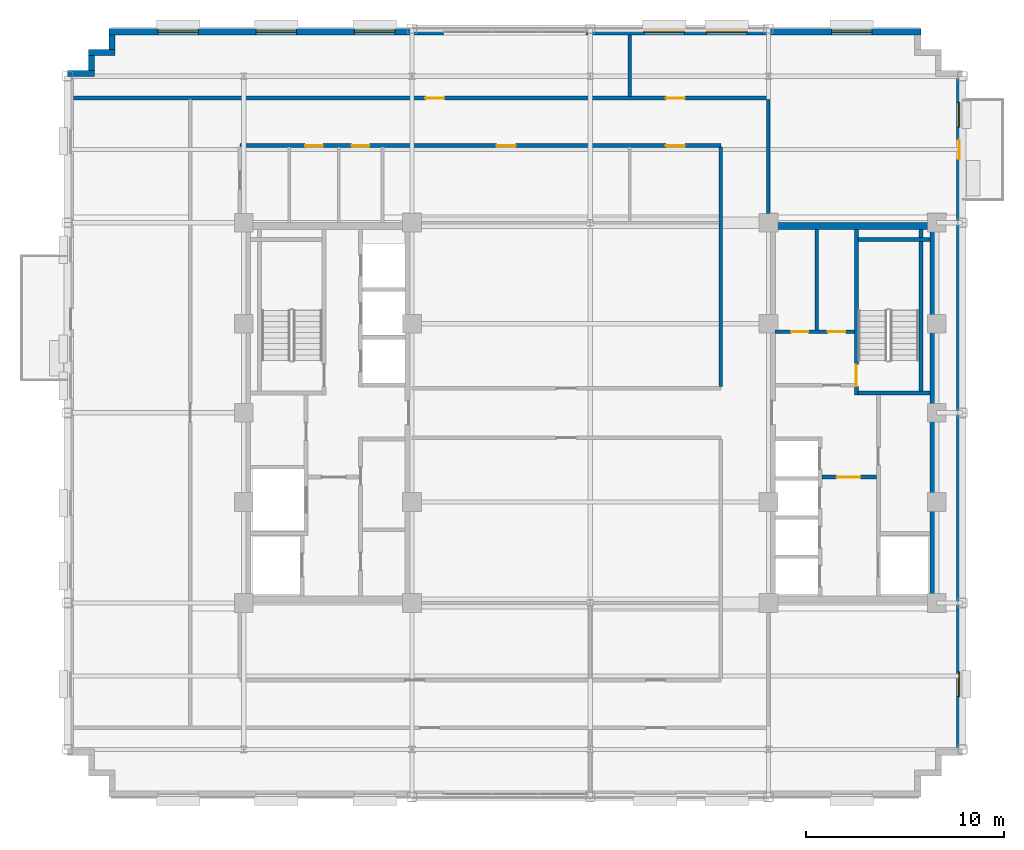
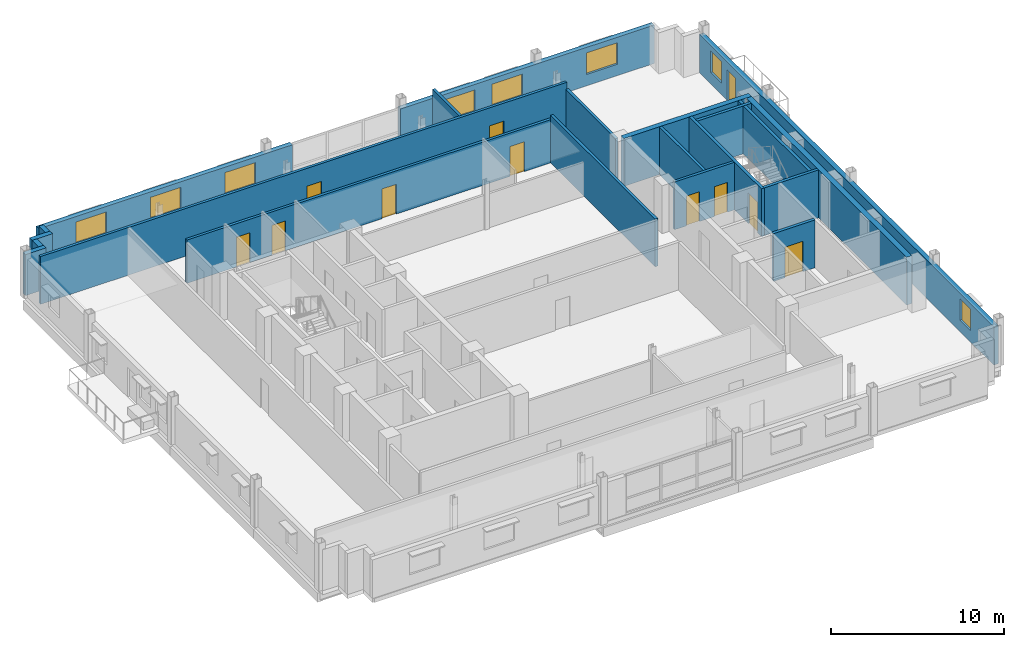
# One storey, part 8 of 15: 21 walls, 11 doors, 8 windows, 19 openings.
"""IFC4 building model written with IfcOpenShell, lengths in metres."""

from ifc_helpers import new_model, si_unit, direction, frame, frame_2d, origin, place, context, subcontext, project, spatial, rectangle, extrude, source, transform, mapped, material, layer, layer_set, type_object, type_shapes, element, fill, save


model = new_model("IFC4")

# Units and contexts
model_context = context("Model", 3, precision=1e-05, world=origin(), true_north=direction((0.0, 1.0)))
body_context = subcontext(model_context, "Body", "Model", "MODEL_VIEW")
ifc_project = project(units=[si_unit("LENGTHUNIT", "METRE"), si_unit("AREAUNIT", "SQUARE_METRE"), si_unit("VOLUMEUNIT", "CUBIC_METRE"), si_unit("PLANEANGLEUNIT", "RADIAN"), si_unit("MASSUNIT", "GRAM", prefix="KILO")], contexts=[model_context])

# Site, building, storey
site_placement = place(None, origin())
site = spatial("IfcSite", under=ifc_project, at=site_placement, CompositionType="ELEMENT")
building_placement = place(site_placement, origin())
building = spatial("IfcBuilding", under=site, at=building_placement, Name="Nuvemarco Arch Tower", CompositionType="ELEMENT")
storey_placement = place(building_placement, frame((0.0, 0.0, 223.75)))
storey = spatial("IfcBuildingStorey", under=building, at=storey_placement, Name="L59", CompositionType="ELEMENT", Elevation=223.75)

# Wall, openings, door, windows
ifc_material_1 = material(Name="Precast concrete C45/55", Category="concrete")
ifc_layer_1 = layer(ifc_material_1, 0.31005859375, Name="EW-UPP-310")
ifc_layer_set_1 = layer_set([ifc_layer_1], Name="Precast concrete C45/55")
wall_type_1 = type_object("IfcWallType", Name="EW-UPP-310", PredefinedType="STANDARD", material=ifc_layer_set_1)
wall_1_placement = place(storey_placement, frame((18.64501953125, -16.993896484375, 0.0), z_axis=(0.0, 0.0, 1.0), x_axis=(0.0, 1.0, 0.0)))
wall_1 = element("IfcWall", 1, at=wall_1_placement, inside=storey, type_object=wall_type_1, Name="L59 exterior precast facade wall 6", PredefinedType="STANDARD", context=body_context, shape_type="SweptSolid", body=[
    extrude(rectangle(XDim=33.98779296875, YDim=0.31005859375, at=frame_2d((16.993896484375, 0.0))), origin(), (0.0, 0.0, 1.0), 2.705078125),
])
opening_1_placement = place(wall_1_placement, frame((30.77392578125, 0.0, 0.0), z_axis=(0.0, 0.0, 1.0), x_axis=(-1.0, 0.0, 0.0)))
opening_1 = element("IfcOpeningElement", 2, at=opening_1_placement, cuts=wall_1, Name="Opening ED-6", PredefinedType="OPENING", context=body_context, shape_type="SweptSolid", body=[
    extrude(rectangle(XDim=0.97998046875, YDim=2.14990234375, at=frame_2d((0.489990234375, 1.074951171875))), frame((0.0, 0.1650390625, 0.0), z_axis=(0.0, -1.0, 0.0), x_axis=(1.0, 0.0, 0.0)), (0.0, 0.0, 1.0), 0.330078125),
])
opening_2_placement = place(wall_1_placement, frame((2.659912109375, 0.0, 0.800048828125)))
opening_2 = element("IfcOpeningElement", 3, at=opening_2_placement, cuts=wall_1, Name="Opening WN-13", PredefinedType="OPENING", context=body_context, shape_type="SweptSolid", body=[
    extrude(rectangle(XDim=1.25, YDim=1.52001953125, at=frame_2d((0.625, 0.760009765625))), frame((0.0, 0.1650390625, 0.0), z_axis=(0.0, -1.0, 0.0), x_axis=(1.0, 0.0, 0.0)), (0.0, 0.0, 1.0), 0.330078125),
])
opening_3_placement = place(wall_1_placement, frame((31.427978515625, 0.0, 0.800048828125)))
opening_3 = element("IfcOpeningElement", 4, at=opening_3_placement, cuts=wall_1, Name="Opening WN-13", PredefinedType="OPENING", context=body_context, shape_type="SweptSolid", body=[
    extrude(rectangle(XDim=1.25, YDim=1.52001953125, at=frame_2d((0.625, 0.760009765625))), frame((0.0, 0.1650390625, 0.0), z_axis=(0.0, -1.0, 0.0), x_axis=(1.0, 0.0, 0.0)), (0.0, 0.0, 1.0), 0.330078125),
])
ifc_material_2 = material(Name="Anodised bronze and laminated glass", Category="glass")
door_type_1 = type_object("IfcDoorType", Name="DR-EXT-BALC", OperationType="NOTDEFINED", PredefinedType="DOOR", material=ifc_material_2)
shared_shape_1 = source(origin(), body_context, "Body", "SweptSolid", [
    extrude(rectangle(XDim=0.97998046875, YDim=2.14990234375, at=frame_2d((0.489990234375, 1.074951171875))), frame((0.0, 0.02490234375, 0.0), z_axis=(0.0, -1.0, 0.0), x_axis=(1.0, 0.0, 0.0)), (0.0, 0.0, 1.0), 0.050048828125),
])
type_shapes(door_type_1, [shared_shape_1])
door_1_placement = place(opening_1_placement, origin())
door_1 = element("IfcDoor", 5, at=door_1_placement, inside=storey, type_object=door_type_1, Name="L59 tree balcony access door", OperationType="SINGLE_SWING_RIGHT", OverallHeight=2.14990234375, OverallWidth=0.97998046875, PredefinedType="DOOR", context=body_context, shape_type="MappedRepresentation", body=[
    mapped(shared_shape_1, transform((0.0, 0.0, 0.0), scale=1.0)),
])
fill(opening_1, door_1)
ifc_material_3 = material(Name="Insulated solar-control glass", Category="glass")
window_type_1 = type_object("IfcWindowType", Name="WN-SET-1250x1520", PartitioningType="SINGLE_PANEL", PredefinedType="WINDOW", material=ifc_material_3)
shared_shape_2 = source(origin(), body_context, "Body", "SweptSolid", [
    extrude(rectangle(XDim=1.25, YDim=1.52001953125, at=frame_2d((0.625, 0.760009765625))), frame((0.0, 0.030029296875, 0.0), z_axis=(0.0, -1.0, 0.0), x_axis=(1.0, 0.0, 0.0)), (0.0, 0.0, 1.0), 0.06005859375),
])
type_shapes(window_type_1, [shared_shape_2])
window_1_placement = place(opening_2_placement, origin())
window_1 = element("IfcWindow", 6, at=window_1_placement, inside=storey, type_object=window_type_1, Name="L59 punched facade window 1", OverallHeight=1.52001953125, OverallWidth=1.25, PartitioningType="SINGLE_PANEL", PredefinedType="WINDOW", context=body_context, shape_type="MappedRepresentation", body=[
    mapped(shared_shape_2, transform((0.0, 0.0, 0.0), scale=1.0)),
])
fill(opening_2, window_1)
window_2_placement = place(opening_3_placement, origin())
window_2 = element("IfcWindow", 7, at=window_2_placement, inside=storey, type_object=window_type_1, Name="L59 punched facade window 7", OverallHeight=1.52001953125, OverallWidth=1.25, PartitioningType="SINGLE_PANEL", PredefinedType="WINDOW", context=body_context, shape_type="MappedRepresentation", body=[
    mapped(shared_shape_2, transform((0.0, 0.0, 0.0), scale=1.0)),
])
fill(opening_3, window_2)

# Wall, openings, windows
wall_2_placement = place(storey_placement, frame((-24.300048828125, 19.2451171875, 0.0), z_axis=(0.0, 0.0, 1.0), x_axis=(1.0, 0.0, 0.0)))
wall_2 = element("IfcWall", 8, at=wall_2_placement, inside=storey, type_object=wall_type_1, Name="L59 exterior precast pier wall north left", PredefinedType="STANDARD", context=body_context, shape_type="SweptSolid", body=[
    extrude(rectangle(XDim=16.900146484375, YDim=0.31005859375, at=frame_2d((8.4501953125, 0.0))), origin(), (0.0, 0.0, 1.0), 2.705078125),
])
opening_4_placement = place(wall_2_placement, frame((2.458251953125, 0.0, 0.800048828125)))
opening_4 = element("IfcOpeningElement", 9, at=opening_4_placement, cuts=wall_2, Name="Opening WN-12", PredefinedType="OPENING", context=body_context, shape_type="SweptSolid", body=[
    extrude(rectangle(XDim=2.050048828125, YDim=1.52001953125, at=frame_2d((1.02490234375, 0.760009765625))), frame((0.0, 0.1650390625, 0.0), z_axis=(0.0, -1.0, 0.0), x_axis=(1.0, 0.0, 0.0)), (0.0, 0.0, 1.0), 0.330078125),
])
opening_5_placement = place(wall_2_placement, frame((7.425048828125, 0.0, 0.800048828125)))
opening_5 = element("IfcOpeningElement", 10, at=opening_5_placement, cuts=wall_2, Name="Opening WN-12", PredefinedType="OPENING", context=body_context, shape_type="SweptSolid", body=[
    extrude(rectangle(XDim=2.050048828125, YDim=1.52001953125, at=frame_2d((1.02490234375, 0.760009765625))), frame((0.0, 0.1650390625, 0.0), z_axis=(0.0, -1.0, 0.0), x_axis=(1.0, 0.0, 0.0)), (0.0, 0.0, 1.0), 0.330078125),
])
opening_6_placement = place(wall_2_placement, frame((12.3916015625, 0.0, 0.800048828125)))
opening_6 = element("IfcOpeningElement", 11, at=opening_6_placement, cuts=wall_2, Name="Opening WN-12", PredefinedType="OPENING", context=body_context, shape_type="SweptSolid", body=[
    extrude(rectangle(XDim=2.050048828125, YDim=1.52001953125, at=frame_2d((1.02490234375, 0.760009765625))), frame((0.0, 0.1650390625, 0.0), z_axis=(0.0, -1.0, 0.0), x_axis=(1.0, 0.0, 0.0)), (0.0, 0.0, 1.0), 0.330078125),
])
window_type_2 = type_object("IfcWindowType", Name="WN-SET-2050x1520", PartitioningType="DOUBLE_PANEL_VERTICAL", PredefinedType="WINDOW", material=ifc_material_3)
shared_shape_3 = source(origin(), body_context, "Body", "SweptSolid", [
    extrude(rectangle(XDim=2.050048828125, YDim=1.52001953125, at=frame_2d((1.02490234375, 0.760009765625))), frame((0.0, 0.030029296875, 0.0), z_axis=(0.0, -1.0, 0.0), x_axis=(1.0, 0.0, 0.0)), (0.0, 0.0, 1.0), 0.06005859375),
])
type_shapes(window_type_2, [shared_shape_3])
window_3_placement = place(opening_4_placement, origin())
window_3 = element("IfcWindow", 12, at=window_3_placement, inside=storey, type_object=window_type_2, Name="L59 punched facade window 1", OverallHeight=1.52001953125, OverallWidth=2.050048828125, PartitioningType="SINGLE_PANEL", PredefinedType="WINDOW", context=body_context, shape_type="MappedRepresentation", body=[
    mapped(shared_shape_3, transform((0.0, 0.0, 0.0), scale=1.0)),
])
fill(opening_4, window_3)
window_4_placement = place(opening_5_placement, origin())
window_4 = element("IfcWindow", 13, at=window_4_placement, inside=storey, type_object=window_type_2, Name="L59 punched facade window 2", OverallHeight=1.52001953125, OverallWidth=2.050048828125, PartitioningType="SINGLE_PANEL", PredefinedType="WINDOW", context=body_context, shape_type="MappedRepresentation", body=[
    mapped(shared_shape_3, transform((0.0, 0.0, 0.0), scale=1.0)),
])
fill(opening_5, window_4)
window_5_placement = place(opening_6_placement, origin())
window_5 = element("IfcWindow", 14, at=window_5_placement, inside=storey, type_object=window_type_2, Name="L59 punched facade window 3", OverallHeight=1.52001953125, OverallWidth=2.050048828125, PartitioningType="SINGLE_PANEL", PredefinedType="WINDOW", context=body_context, shape_type="MappedRepresentation", body=[
    mapped(shared_shape_3, transform((0.0, 0.0, 0.0), scale=1.0)),
])
fill(opening_6, window_5)

wall_3_placement = place(storey_placement, frame((-0.199951171875, 19.2451171875, 0.0), z_axis=(0.0, 0.0, 1.0), x_axis=(1.0, 0.0, 0.0)))
wall_3 = element("IfcWall", 15, at=wall_3_placement, inside=storey, type_object=wall_type_1, Name="L59 exterior precast pier wall north right", PredefinedType="STANDARD", context=body_context, shape_type="SweptSolid", body=[
    extrude(rectangle(XDim=16.89990234375, YDim=0.31005859375, at=frame_2d((8.449951171875, 0.0))), origin(), (0.0, 0.0, 1.0), 2.705078125),
])
opening_7_placement = place(wall_3_placement, frame((2.908203125, 0.0, 0.800048828125)))
opening_7 = element("IfcOpeningElement", 16, at=opening_7_placement, cuts=wall_3, Name="Opening WN-12", PredefinedType="OPENING", context=body_context, shape_type="SweptSolid", body=[
    extrude(rectangle(XDim=2.050048828125, YDim=1.52001953125, at=frame_2d((1.02490234375, 0.760009765625))), frame((0.0, 0.1650390625, 0.0), z_axis=(0.0, -1.0, 0.0), x_axis=(1.0, 0.0, 0.0)), (0.0, 0.0, 1.0), 0.330078125),
])
opening_8_placement = place(wall_3_placement, frame((6.074951171875, 0.0, 0.800048828125)))
opening_8 = element("IfcOpeningElement", 17, at=opening_8_placement, cuts=wall_3, Name="Opening WN-12", PredefinedType="OPENING", context=body_context, shape_type="SweptSolid", body=[
    extrude(rectangle(XDim=2.050048828125, YDim=1.52001953125, at=frame_2d((1.02490234375, 0.760009765625))), frame((0.0, 0.1650390625, 0.0), z_axis=(0.0, -1.0, 0.0), x_axis=(1.0, 0.0, 0.0)), (0.0, 0.0, 1.0), 0.330078125),
])
opening_9_placement = place(wall_3_placement, frame((12.3916015625, 0.0, 0.800048828125)))
opening_9 = element("IfcOpeningElement", 18, at=opening_9_placement, cuts=wall_3, Name="Opening WN-12", PredefinedType="OPENING", context=body_context, shape_type="SweptSolid", body=[
    extrude(rectangle(XDim=2.050048828125, YDim=1.52001953125, at=frame_2d((1.02490234375, 0.760009765625))), frame((0.0, 0.1650390625, 0.0), z_axis=(0.0, -1.0, 0.0), x_axis=(1.0, 0.0, 0.0)), (0.0, 0.0, 1.0), 0.330078125),
])
window_6_placement = place(opening_7_placement, origin())
window_6 = element("IfcWindow", 19, at=window_6_placement, inside=storey, type_object=window_type_2, Name="L59 punched facade window 1", OverallHeight=1.52001953125, OverallWidth=2.050048828125, PartitioningType="SINGLE_PANEL", PredefinedType="WINDOW", context=body_context, shape_type="MappedRepresentation", body=[
    mapped(shared_shape_3, transform((0.0, 0.0, 0.0), scale=1.0)),
])
fill(opening_7, window_6)
window_7_placement = place(opening_8_placement, origin())
window_7 = element("IfcWindow", 20, at=window_7_placement, inside=storey, type_object=window_type_2, Name="L59 punched facade window 2", OverallHeight=1.52001953125, OverallWidth=2.050048828125, PartitioningType="SINGLE_PANEL", PredefinedType="WINDOW", context=body_context, shape_type="MappedRepresentation", body=[
    mapped(shared_shape_3, transform((0.0, 0.0, 0.0), scale=1.0)),
])
fill(opening_8, window_7)
window_8_placement = place(opening_9_placement, origin())
window_8 = element("IfcWindow", 21, at=window_8_placement, inside=storey, type_object=window_type_2, Name="L59 punched facade window 3", OverallHeight=1.52001953125, OverallWidth=2.050048828125, PartitioningType="SINGLE_PANEL", PredefinedType="WINDOW", context=body_context, shape_type="MappedRepresentation", body=[
    mapped(shared_shape_3, transform((0.0, 0.0, 0.0), scale=1.0)),
])
fill(opening_9, window_8)

# Walls
wall_4_placement = place(storey_placement, frame((-24.14501953125, 18.345947265625, 0.0), z_axis=(0.0, 0.0, 1.0), x_axis=(0.0, 1.0, 0.0)))
element("IfcWall", 22, at=wall_4_placement, inside=storey, type_object=wall_type_1, Name="L59 exterior precast facade wall 12", PredefinedType="STANDARD", context=body_context, shape_type="SweptSolid", body=[
    extrude(rectangle(XDim=0.748046875, YDim=0.31005859375, at=frame_2d((0.3740234375, 0.0))), origin(), (0.0, 0.0, 1.0), 2.89208984375),
])
wall_5_placement = place(storey_placement, frame((-25.35009765625, 18.195068359375, 0.0), z_axis=(0.0, 0.0, 1.0), x_axis=(1.0, 0.0, 0.0)))
element("IfcWall", 23, at=wall_5_placement, inside=storey, type_object=wall_type_1, Name="L59 exterior precast facade wall 13", PredefinedType="STANDARD", context=body_context, shape_type="SweptSolid", body=[
    extrude(rectangle(XDim=1.360107421875, YDim=0.31005859375, at=frame_2d((0.68017578125, 0.0))), origin(), (0.0, 0.0, 1.0), 2.89208984375),
])
wall_6_placement = place(storey_placement, frame((-25.195068359375, 17.2958984375, 0.0), z_axis=(0.0, 0.0, 1.0), x_axis=(0.0, 1.0, 0.0)))
element("IfcWall", 24, at=wall_6_placement, inside=storey, type_object=wall_type_1, Name="L59 exterior precast facade wall 14", PredefinedType="STANDARD", context=body_context, shape_type="SweptSolid", body=[
    extrude(rectangle(XDim=0.748046875, YDim=0.31005859375, at=frame_2d((0.3740234375, 0.0))), origin(), (0.0, 0.0, 1.0), 2.89208984375),
])
wall_7_placement = place(storey_placement, frame((-26.39990234375, 17.14501953125, 0.0), z_axis=(0.0, 0.0, 1.0), x_axis=(1.0, 0.0, 0.0)))
element("IfcWall", 25, at=wall_7_placement, inside=storey, type_object=wall_type_1, Name="L59 exterior precast facade wall 15", PredefinedType="STANDARD", context=body_context, shape_type="SweptSolid", body=[
    extrude(rectangle(XDim=1.35986328125, YDim=0.31005859375, at=frame_2d((0.679931640625, 0.0))), origin(), (0.0, 0.0, 1.0), 2.89208984375),
])
ifc_material_4 = material(Name="Concrete C50/60", Category="concrete")
ifc_layer_2 = layer(ifc_material_4, 0.35009765625, Name="WL-CORE-350")
ifc_layer_set_2 = layer_set([ifc_layer_2], Name="Concrete C50/60")
wall_type_2 = type_object("IfcWallType", Name="WL-CORE-350", PredefinedType="SHEAR", material=ifc_layer_set_2)
wall_8_placement = place(storey_placement, frame((9.0, 9.425048828125, 0.0), z_axis=(0.0, 0.0, 1.0), x_axis=(1.0, 0.0, 0.0)))
element("IfcWall", 26, at=wall_8_placement, inside=storey, type_object=wall_type_2, Name="L59 E-core shear wall N", PredefinedType="SHEAR", context=body_context, shape_type="SweptSolid", body=[
    extrude(rectangle(XDim=8.5, YDim=0.35009765625, at=frame_2d((4.25, 0.0))), origin(), (0.0, 0.0, 1.0), 3.3701171875),
])
wall_9_placement = place(storey_placement, frame((17.324951171875, -9.2548828125, 0.0), z_axis=(0.0, 0.0, 1.0), x_axis=(0.0, 1.0, 0.0)))
element("IfcWall", 27, at=wall_9_placement, inside=storey, type_object=wall_type_2, Name="L59 E-core shear wall E", PredefinedType="SHEAR", context=body_context, shape_type="SweptSolid", body=[
    extrude(rectangle(XDim=18.509765625, YDim=0.35009765625, at=frame_2d((9.2548828125, 0.0))), origin(), (0.0, 0.0, 1.0), 3.3701171875),
])

# Wall, openings, doors
ifc_material_5 = material(Name="Fire-rated gypsum drywall partition")
ifc_layer_3 = layer(ifc_material_5, 0.179931640625, Name="WL-CORR-180")
ifc_layer_set_3 = layer_set([ifc_layer_3], Name="Fire-rated gypsum drywall partition")
wall_type_3 = type_object("IfcWallType", Name="WL-CORR-180", PredefinedType="PARTITIONING", material=ifc_layer_set_3)
wall_10_placement = place(storey_placement, frame((9.344970703125, 4.10009765625, 0.0), z_axis=(0.0, 0.0, 1.0), x_axis=(1.0, 0.0, 0.0)))
wall_10 = element("IfcWall", 28, at=wall_10_placement, inside=storey, type_object=wall_type_3, Name="L59 interior wall IW-L59-EK3H", PredefinedType="PARTITIONING", context=body_context, shape_type="SweptSolid", body=[
    extrude(rectangle(XDim=4.0, YDim=0.179931640625, at=frame_2d((2.0, 0.0))), origin(), (0.0, 0.0, 1.0), 3.360107421875),
])
opening_10_placement = place(wall_10_placement, frame((0.800048828125, 0.0, 0.0)))
opening_10 = element("IfcOpeningElement", 29, at=opening_10_placement, cuts=wall_10, Name="Opening FD-4", PredefinedType="OPENING", context=body_context, shape_type="SweptSolid", body=[
    extrude(rectangle(XDim=0.8798828125, YDim=2.10009765625, at=frame_2d((0.43994140625, 1.050048828125))), frame((0.0, 0.099853515625, 0.0), z_axis=(0.0, -1.0, 0.0), x_axis=(1.0, 0.0, 0.0)), (0.0, 0.0, 1.0), 0.199951171875),
])
opening_11_placement = place(wall_10_placement, frame((2.6650390625, 0.0, 0.0)))
opening_11 = element("IfcOpeningElement", 30, at=opening_11_placement, cuts=wall_10, Name="Opening FD-4", PredefinedType="OPENING", context=body_context, shape_type="SweptSolid", body=[
    extrude(rectangle(XDim=0.8798828125, YDim=2.10009765625, at=frame_2d((0.43994140625, 1.050048828125))), frame((0.0, 0.099853515625, 0.0), z_axis=(0.0, -1.0, 0.0), x_axis=(1.0, 0.0, 0.0)), (0.0, 0.0, 1.0), 0.199951171875),
])
ifc_material_6 = material(Name="Anodised steel fire door", Category="steel")
door_type_2 = type_object("IfcDoorType", Name="DR-RISER-FD", OperationType="NOTDEFINED", PredefinedType="DOOR", material=ifc_material_6)
shared_shape_4 = source(origin(), body_context, "Body", "SweptSolid", [
    extrude(rectangle(XDim=0.8798828125, YDim=2.10009765625, at=frame_2d((0.43994140625, 1.050048828125))), frame((0.0, 0.02490234375, 0.0), z_axis=(0.0, -1.0, 0.0), x_axis=(1.0, 0.0, 0.0)), (0.0, 0.0, 1.0), 0.050048828125),
])
type_shapes(door_type_2, [shared_shape_4])
door_2_placement = place(opening_10_placement, origin())
door_2 = element("IfcDoor", 31, at=door_2_placement, inside=storey, type_object=door_type_2, Name="L59 door FD-L59-EK3B", OperationType="SINGLE_SWING_LEFT", OverallHeight=2.10009765625, OverallWidth=0.8798828125, PredefinedType="DOOR", context=body_context, shape_type="MappedRepresentation", body=[
    mapped(shared_shape_4, transform((0.0, 0.0, 0.0), scale=1.0)),
])
fill(opening_10, door_2)
door_3_placement = place(opening_11_placement, origin())
door_3 = element("IfcDoor", 32, at=door_3_placement, inside=storey, type_object=door_type_2, Name="L59 door FD-L59-EK3C", OperationType="SINGLE_SWING_RIGHT", OverallHeight=2.10009765625, OverallWidth=0.8798828125, PredefinedType="DOOR", context=body_context, shape_type="MappedRepresentation", body=[
    mapped(shared_shape_4, transform((0.0, 0.0, 0.0), scale=1.0)),
])
fill(opening_11, door_3)

# Wall
wall_11_placement = place(storey_placement, frame((11.449951171875, 4.18994140625, 0.0), z_axis=(0.0, 0.0, 1.0), x_axis=(0.0, 1.0, 0.0)))
element("IfcWall", 33, at=wall_11_placement, inside=storey, type_object=wall_type_3, Name="L59 interior wall IW-L59-EK3V", PredefinedType="PARTITIONING", context=body_context, shape_type="SweptSolid", body=[
    extrude(rectangle(XDim=5.06494140625, YDim=0.179931640625, at=frame_2d((2.532470703125, 0.0))), origin(), (0.0, 0.0, 1.0), 3.360107421875),
])

# Wall, openings, doors
wall_12_placement = place(storey_placement, frame((-17.699951171875, 13.5, 0.0), z_axis=(0.0, 0.0, 1.0), x_axis=(1.0, 0.0, 0.0)))
wall_12 = element("IfcWall", 34, at=wall_12_placement, inside=storey, type_object=wall_type_3, Name="L59 interior wall IW-L59-009", PredefinedType="PARTITIONING", context=body_context, shape_type="SweptSolid", body=[
    extrude(rectangle(XDim=24.300048828125, YDim=0.179931640625, at=frame_2d((12.14990234375, 0.0))), origin(), (0.0, 0.0, 1.0), 3.049072265625),
])
opening_12_placement = place(wall_12_placement, frame((12.969970703125, 0.0, 0.0)))
opening_12 = element("IfcOpeningElement", 35, at=opening_12_placement, cuts=wall_12, Name="Opening FD-5", PredefinedType="OPENING", context=body_context, shape_type="SweptSolid", body=[
    extrude(rectangle(XDim=0.9599609375, YDim=2.10009765625, at=frame_2d((0.47998046875, 1.050048828125))), frame((0.0, 0.099853515625, 0.0), z_axis=(0.0, -1.0, 0.0), x_axis=(1.0, 0.0, 0.0)), (0.0, 0.0, 1.0), 0.199951171875),
])
opening_13_placement = place(wall_12_placement, frame((21.52001953125, 0.0, 0.0)))
opening_13 = element("IfcOpeningElement", 36, at=opening_13_placement, cuts=wall_12, Name="Opening FD-5", PredefinedType="OPENING", context=body_context, shape_type="SweptSolid", body=[
    extrude(rectangle(XDim=0.9599609375, YDim=2.10009765625, at=frame_2d((0.47998046875, 1.050048828125))), frame((0.0, 0.099853515625, 0.0), z_axis=(0.0, -1.0, 0.0), x_axis=(1.0, 0.0, 0.0)), (0.0, 0.0, 1.0), 0.199951171875),
])
opening_14_placement = place(wall_12_placement, frame((3.300048828125, 0.0, 0.0)))
opening_14 = element("IfcOpeningElement", 37, at=opening_14_placement, cuts=wall_12, Name="Opening ID-3", PredefinedType="OPENING", context=body_context, shape_type="SweptSolid", body=[
    extrude(rectangle(XDim=0.89990234375, YDim=2.10009765625, at=frame_2d((0.449951171875, 1.050048828125))), frame((0.0, 0.099853515625, 0.0), z_axis=(0.0, -1.0, 0.0), x_axis=(1.0, 0.0, 0.0)), (0.0, 0.0, 1.0), 0.199951171875),
])
opening_15_placement = place(wall_12_placement, frame((5.64990234375, 0.0, 0.0)))
opening_15 = element("IfcOpeningElement", 38, at=opening_15_placement, cuts=wall_12, Name="Opening ID-3", PredefinedType="OPENING", context=body_context, shape_type="SweptSolid", body=[
    extrude(rectangle(XDim=0.89990234375, YDim=2.10009765625, at=frame_2d((0.449951171875, 1.050048828125))), frame((0.0, 0.099853515625, 0.0), z_axis=(0.0, -1.0, 0.0), x_axis=(1.0, 0.0, 0.0)), (0.0, 0.0, 1.0), 0.199951171875),
])
ifc_material_7 = material(Name="Timber fire door", Category="wood")
door_type_3 = type_object("IfcDoorType", Name="DR-CORR-FD", OperationType="NOTDEFINED", PredefinedType="DOOR", material=ifc_material_7)
shared_shape_5 = source(origin(), body_context, "Body", "SweptSolid", [
    extrude(rectangle(XDim=0.9599609375, YDim=2.10009765625, at=frame_2d((0.47998046875, 1.050048828125))), frame((0.0, 0.02490234375, 0.0), z_axis=(0.0, -1.0, 0.0), x_axis=(1.0, 0.0, 0.0)), (0.0, 0.0, 1.0), 0.050048828125),
])
type_shapes(door_type_3, [shared_shape_5])
door_4_placement = place(opening_12_placement, origin())
door_4 = element("IfcDoor", 39, at=door_4_placement, inside=storey, type_object=door_type_3, Name="L59 door DR-L59-SKY_IN_N", OperationType="SINGLE_SWING_LEFT", OverallHeight=2.10009765625, OverallWidth=0.9599609375, PredefinedType="DOOR", context=body_context, shape_type="MappedRepresentation", body=[
    mapped(shared_shape_5, transform((0.0, 0.0, 0.0), scale=1.0)),
])
fill(opening_12, door_4)
door_5_placement = place(opening_13_placement, origin())
door_5 = element("IfcDoor", 40, at=door_5_placement, inside=storey, type_object=door_type_3, Name="L59 door DR-L59-SKY_CLUB_2", OperationType="SINGLE_SWING_LEFT", OverallHeight=2.10009765625, OverallWidth=0.9599609375, PredefinedType="DOOR", context=body_context, shape_type="MappedRepresentation", body=[
    mapped(shared_shape_5, transform((0.0, 0.0, 0.0), scale=1.0)),
])
fill(opening_13, door_5)
ifc_material_8 = material(Name="Veneered oak timber fire door", Category="wood")
door_type_4 = type_object("IfcDoorType", Name="DR-WC-ACC", OperationType="NOTDEFINED", PredefinedType="DOOR", material=ifc_material_8)
shared_shape_6 = source(origin(), body_context, "Body", "SweptSolid", [
    extrude(rectangle(XDim=0.89990234375, YDim=2.10009765625, at=frame_2d((0.449951171875, 1.050048828125))), frame((0.0, 0.02490234375, 0.0), z_axis=(0.0, -1.0, 0.0), x_axis=(1.0, 0.0, 0.0)), (0.0, 0.0, 1.0), 0.050048828125),
])
type_shapes(door_type_4, [shared_shape_6])
door_6_placement = place(opening_14_placement, origin())
door_6 = element("IfcDoor", 41, at=door_6_placement, inside=storey, type_object=door_type_4, Name="L59 door DR-L59-WC_F", OperationType="SINGLE_SWING_LEFT", OverallHeight=2.10009765625, OverallWidth=0.89990234375, PredefinedType="DOOR", context=body_context, shape_type="MappedRepresentation", body=[
    mapped(shared_shape_6, transform((0.0, 0.0, 0.0), scale=1.0)),
])
fill(opening_14, door_6)
door_7_placement = place(opening_15_placement, origin())
door_7 = element("IfcDoor", 42, at=door_7_placement, inside=storey, type_object=door_type_4, Name="L59 door DR-L59-WC_ACC", OperationType="SINGLE_SWING_RIGHT", OverallHeight=2.10009765625, OverallWidth=0.89990234375, PredefinedType="DOOR", context=body_context, shape_type="MappedRepresentation", body=[
    mapped(shared_shape_6, transform((0.0, 0.0, 0.0), scale=1.0)),
])
fill(opening_15, door_7)

wall_13_placement = place(storey_placement, frame((-26.090087890625, 15.89990234375, 0.0), z_axis=(0.0, 0.0, 1.0), x_axis=(1.0, 0.0, 0.0)))
wall_13 = element("IfcWall", 43, at=wall_13_placement, inside=storey, type_object=wall_type_3, Name="L59 interior wall IW-L59-010", PredefinedType="PARTITIONING", context=body_context, shape_type="SweptSolid", body=[
    extrude(rectangle(XDim=35.090087890625, YDim=0.179931640625, at=frame_2d((17.544921875, 0.0))), origin(), (0.0, 0.0, 1.0), 3.360107421875),
])
opening_16_placement = place(wall_13_placement, frame((17.760009765625, 0.0, 0.0)))
opening_16 = element("IfcOpeningElement", 44, at=opening_16_placement, cuts=wall_13, Name="Opening FD-5", PredefinedType="OPENING", context=body_context, shape_type="SweptSolid", body=[
    extrude(rectangle(XDim=0.9599609375, YDim=2.10009765625, at=frame_2d((0.47998046875, 1.050048828125))), frame((0.0, 0.099853515625, 0.0), z_axis=(0.0, -1.0, 0.0), x_axis=(1.0, 0.0, 0.0)), (0.0, 0.0, 1.0), 0.199951171875),
])
opening_17_placement = place(wall_13_placement, frame((29.909912109375, 0.0, 0.0)))
opening_17 = element("IfcOpeningElement", 45, at=opening_17_placement, cuts=wall_13, Name="Opening FD-5", PredefinedType="OPENING", context=body_context, shape_type="SweptSolid", body=[
    extrude(rectangle(XDim=0.9599609375, YDim=2.10009765625, at=frame_2d((0.47998046875, 1.050048828125))), frame((0.0, 0.099853515625, 0.0), z_axis=(0.0, -1.0, 0.0), x_axis=(1.0, 0.0, 0.0)), (0.0, 0.0, 1.0), 0.199951171875),
])
door_8_placement = place(opening_16_placement, origin())
door_8 = element("IfcDoor", 46, at=door_8_placement, inside=storey, type_object=door_type_3, Name="L59 door DR-L59-SKY_LOB", OperationType="SINGLE_SWING_RIGHT", OverallHeight=2.10009765625, OverallWidth=0.9599609375, PredefinedType="DOOR", context=body_context, shape_type="MappedRepresentation", body=[
    mapped(shared_shape_5, transform((0.0, 0.0, 0.0), scale=1.0)),
])
fill(opening_16, door_8)
door_9_placement = place(opening_17_placement, origin())
door_9 = element("IfcDoor", 47, at=door_9_placement, inside=storey, type_object=door_type_3, Name="L59 door DR-L59-SKY_CLUB", OperationType="SINGLE_SWING_RIGHT", OverallHeight=2.10009765625, OverallWidth=0.9599609375, PredefinedType="DOOR", context=body_context, shape_type="MappedRepresentation", body=[
    mapped(shared_shape_5, transform((0.0, 0.0, 0.0), scale=1.0)),
])
fill(opening_17, door_9)

# Walls
wall_14_placement = place(storey_placement, frame((2.0, 15.986083984375, 0.0), z_axis=(0.0, 0.0, 1.0), x_axis=(0.0, 1.0, 0.0)))
element("IfcWall", 48, at=wall_14_placement, inside=storey, type_object=wall_type_3, Name="L59 interior wall IW-L59-021", PredefinedType="PARTITIONING", context=body_context, shape_type="SweptSolid", body=[
    extrude(rectangle(XDim=3.10400390625, YDim=0.179931640625, at=frame_2d((1.552001953125, 0.0))), origin(), (0.0, 0.0, 1.0), 3.360107421875),
])
wall_15_placement = place(storey_placement, frame((6.60009765625, 1.3359375, 0.0), z_axis=(0.0, 0.0, 1.0), x_axis=(0.0, 1.0, 0.0)))
element("IfcWall", 49, at=wall_15_placement, inside=storey, type_object=wall_type_3, Name="L59 interior wall IW-L59-023", PredefinedType="PARTITIONING", context=body_context, shape_type="SweptSolid", body=[
    extrude(rectangle(XDim=12.078125, YDim=0.179931640625, at=frame_2d((6.0390625, 0.0))), origin(), (0.0, 0.0, 1.0), 3.360107421875),
])
wall_16_placement = place(storey_placement, frame((9.0, 10.071044921875, 0.0), z_axis=(0.0, 0.0, 1.0), x_axis=(0.0, 1.0, 0.0)))
element("IfcWall", 50, at=wall_16_placement, inside=storey, type_object=wall_type_3, Name="L59 interior wall IW-L59-025", PredefinedType="PARTITIONING", context=body_context, shape_type="SweptSolid", body=[
    extrude(rectangle(XDim=5.742919921875, YDim=0.179931640625, at=frame_2d((2.87158203125, 0.0))), origin(), (0.0, 0.0, 1.0), 2.89208984375),
])

# Wall, opening, door
ifc_layer_4 = layer(ifc_material_4, 0.199951171875, Name="WL-SHAFT-220")
ifc_layer_set_4 = layer_set([ifc_layer_4], Name="Concrete C50/60")
wall_type_4 = type_object("IfcWallType", Name="WL-SHAFT-220", PredefinedType="SHEAR", material=ifc_layer_set_4)
wall_17_placement = place(storey_placement, frame((13.43994140625, 0.89990234375, 0.0), z_axis=(0.0, 0.0, 1.0), x_axis=(0.0, 1.0, 0.0)))
wall_17 = element("IfcWall", 51, at=wall_17_placement, inside=storey, type_object=wall_type_4, Name="L59 structural shaft wall SW-L59-E-ST2W", PredefinedType="SHEAR", context=body_context, shape_type="SweptSolid", body=[
    extrude(rectangle(XDim=8.35498046875, YDim=0.199951171875, at=frame_2d((4.177490234375, 0.0))), origin(), (0.0, 0.0, 1.0), 3.3701171875),
])
opening_18_placement = place(wall_17_placement, frame((0.429931640625, 0.0, 0.0)))
opening_18 = element("IfcOpeningElement", 52, at=opening_18_placement, cuts=wall_17, Name="Opening FD-1", PredefinedType="OPENING", context=body_context, shape_type="SweptSolid", body=[
    extrude(rectangle(XDim=1.10009765625, YDim=2.14990234375, at=frame_2d((0.550048828125, 1.074951171875))), frame((0.0, 0.10986328125, 0.0), z_axis=(0.0, -1.0, 0.0), x_axis=(1.0, 0.0, 0.0)), (0.0, 0.0, 1.0), 0.219970703125),
])
door_type_5 = type_object("IfcDoorType", Name="DR-STAIR-FD", OperationType="NOTDEFINED", PredefinedType="DOOR", material=ifc_material_6)
shared_shape_7 = source(origin(), body_context, "Body", "SweptSolid", [
    extrude(rectangle(XDim=1.10009765625, YDim=2.14990234375, at=frame_2d((0.550048828125, 1.074951171875))), frame((0.0, 0.02490234375, 0.0), z_axis=(0.0, -1.0, 0.0), x_axis=(1.0, 0.0, 0.0)), (0.0, 0.0, 1.0), 0.050048828125),
])
type_shapes(door_type_5, [shared_shape_7])
door_10_placement = place(opening_18_placement, origin())
door_10 = element("IfcDoor", 53, at=door_10_placement, inside=storey, type_object=door_type_5, Name="L59 door FD-L59-ST2", OperationType="SINGLE_SWING_LEFT", OverallHeight=2.14990234375, OverallWidth=1.10009765625, PredefinedType="DOOR", context=body_context, shape_type="MappedRepresentation", body=[
    mapped(shared_shape_7, transform((0.0, 0.0, 0.0), scale=1.0)),
])
fill(opening_18, door_10)

# Walls
for number, where, z_axis, x_axis, name in (
    (54, (13.534912109375, 1.0, 0.0), (0.0, 0.0, 1.0), (1.0, 0.0, 0.0), "L59 structural shaft wall SW-L59-E-ST2S"),
    (55, (13.534912109375, 8.75, 0.0), (0.0, 0.0, 1.0), (1.0, 0.0, 0.0), "L59 structural shaft wall SW-L59-E-ST2N"),
):
    element("IfcWall", number, at=place(storey_placement, frame(where, z_axis=z_axis, x_axis=x_axis)), inside=storey, type_object=wall_type_4, Name=name, PredefinedType="SHEAR", context=body_context, shape_type="SweptSolid", body=[
        extrude(rectangle(XDim=3.6201171875, YDim=0.199951171875, at=frame_2d((1.81005859375, 0.0))), origin(), (0.0, 0.0, 1.0), 3.3701171875),
    ])
wall_18_placement = place(storey_placement, frame((16.699951171875, 1.094970703125, 0.0), z_axis=(0.0, 0.0, 1.0), x_axis=(0.0, 1.0, 0.0)))
element("IfcWall", 56, at=wall_18_placement, inside=storey, type_object=wall_type_4, Name="L59 structural shaft wall SW-L59-E-ST2E", PredefinedType="SHEAR", context=body_context, shape_type="SweptSolid", body=[
    extrude(rectangle(XDim=8.159912109375, YDim=0.199951171875, at=frame_2d((4.080078125, 0.0))), origin(), (0.0, 0.0, 1.0), 3.3701171875),
])

# Wall, opening, door
wall_19_placement = place(storey_placement, frame((11.695068359375, -3.25, 0.0), z_axis=(0.0, 0.0, 1.0), x_axis=(1.0, 0.0, 0.0)))
wall_19 = element("IfcWall", 57, at=wall_19_placement, inside=storey, type_object=wall_type_4, Name="L59 structural shaft wall SW-L59-E-FFN", PredefinedType="SHEAR", context=body_context, shape_type="SweptSolid", body=[
    extrude(rectangle(XDim=2.760009765625, YDim=0.199951171875, at=frame_2d((1.3798828125, 0.0))), origin(), (0.0, 0.0, 1.0), 3.3701171875),
])
opening_19_placement = place(wall_19_placement, frame((0.7548828125, 0.0, 0.0)))
opening_19 = element("IfcOpeningElement", 58, at=opening_19_placement, cuts=wall_19, Name="Opening FD-2", PredefinedType="OPENING", context=body_context, shape_type="SweptSolid", body=[
    extrude(rectangle(XDim=1.199951171875, YDim=2.14990234375, at=frame_2d((0.60009765625, 1.074951171875))), frame((0.0, 0.10986328125, 0.0), z_axis=(0.0, -1.0, 0.0), x_axis=(1.0, 0.0, 0.0)), (0.0, 0.0, 1.0), 0.219970703125),
])
door_type_6 = type_object("IfcDoorType", Name="DR-FFLOB-FD", OperationType="NOTDEFINED", PredefinedType="DOOR", material=ifc_material_6)
shared_shape_8 = source(origin(), body_context, "Body", "SweptSolid", [
    extrude(rectangle(XDim=1.199951171875, YDim=2.14990234375, at=frame_2d((0.60009765625, 1.074951171875))), frame((0.0, 0.02490234375, 0.0), z_axis=(0.0, -1.0, 0.0), x_axis=(1.0, 0.0, 0.0)), (0.0, 0.0, 1.0), 0.050048828125),
])
type_shapes(door_type_6, [shared_shape_8])
door_11_placement = place(opening_19_placement, origin())
door_11 = element("IfcDoor", 59, at=door_11_placement, inside=storey, type_object=door_type_6, Name="L59 door FD-L59-EFF2", OperationType="SINGLE_SWING_LEFT", OverallHeight=2.14990234375, OverallWidth=1.199951171875, PredefinedType="DOOR", context=body_context, shape_type="MappedRepresentation", body=[
    mapped(shared_shape_8, transform((0.0, 0.0, 0.0), scale=1.0)),
])
fill(opening_19, door_11)

save(model, "model.ifc")
